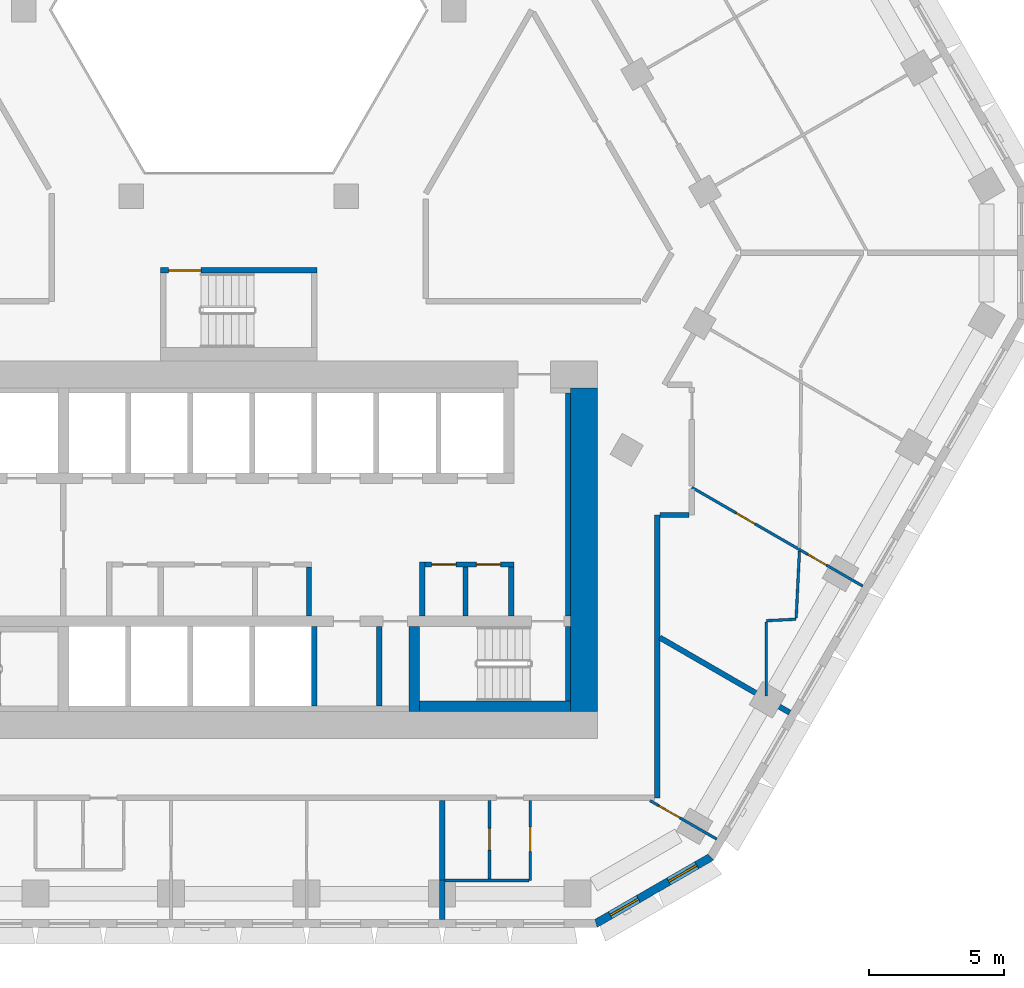
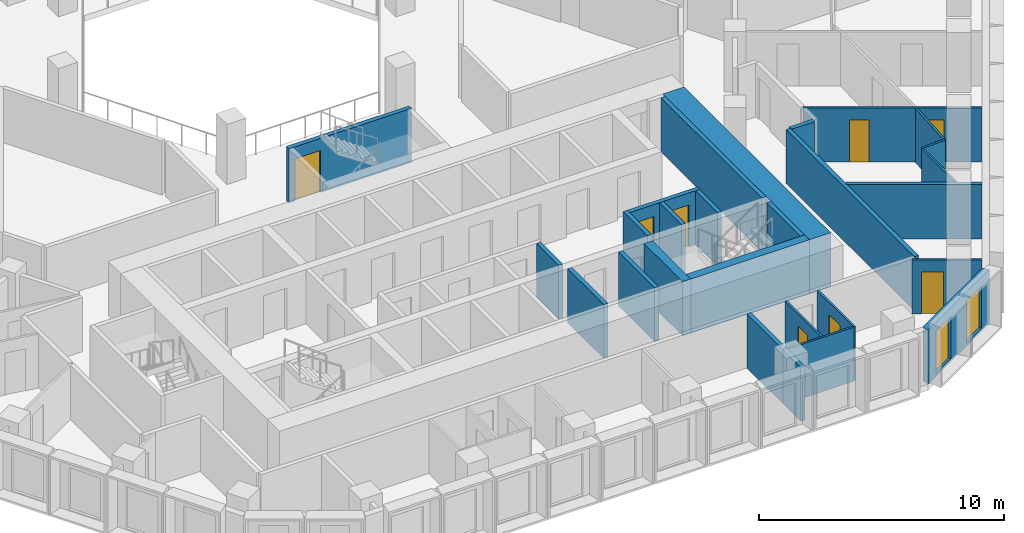
# One storey, part 6 of 18: 27 walls, 8 doors, 2 windows, 10 openings.
"""IFC4 building model written with IfcOpenShell, lengths in metres."""

from ifc_helpers import new_model, si_unit, direction, frame, frame_2d, origin, place, context, subcontext, project, spatial, polyline, rectangle, outline, extrude, material, layer, layer_set, type_object, element, fill, save


model = new_model("IFC4")

# Units and contexts
model_context = context("Model", 3, precision=1e-05, world=origin(), true_north=direction((0.0, 1.0)))
body_context = subcontext(model_context, "Body", "Model", "MODEL_VIEW")
ifc_project = project(units=[si_unit("LENGTHUNIT", "METRE"), si_unit("AREAUNIT", "SQUARE_METRE"), si_unit("VOLUMEUNIT", "CUBIC_METRE"), si_unit("PLANEANGLEUNIT", "RADIAN"), si_unit("MASSUNIT", "GRAM", prefix="KILO")], contexts=[model_context])

# Site, building, storey
site_placement = place(None, origin())
site = spatial("IfcSite", under=ifc_project, at=site_placement, CompositionType="ELEMENT")
building_placement = place(site_placement, origin())
building = spatial("IfcBuilding", under=site, at=building_placement, Name="Beryl Residences", CompositionType="ELEMENT")
storey_placement = place(building_placement, frame((0.0, 0.0, 93.0)))
storey = spatial("IfcBuildingStorey", under=building, at=storey_placement, Name="L28", CompositionType="ELEMENT", Elevation=93.0)

# Wall, openings, windows
ifc_material_1 = material(Name="Composite metal panel with mineral wool insulation")
ifc_layer_1 = layer(ifc_material_1, 0.300048828125)
ifc_layer_set_1 = layer_set([ifc_layer_1], Name="ES1 pale metal composite panel wall 300 mm")
wall_type_1 = type_object("IfcWallType", Name="ES1 pale metal composite panel wall 300 mm", PredefinedType="SOLIDWALL", material=ifc_layer_set_1)
wall_1_placement = place(storey_placement, frame((13.2041015625, -25.8701171875, 0.0), z_axis=(0.0, 0.0, 1.0), x_axis=(0.866010750942, 0.50002537861, 0.0)))
wall_1 = element("IfcWall", 1, at=wall_1_placement, inside=storey, type_object=wall_type_1, Name="ES1 external wall L28 S-SE", PredefinedType="SOLIDWALL", context=body_context, shape_type="SweptSolid", body=[
    extrude(outline(polyline([(0.0, -0.14990234375), (4.999755859375, -0.14990234375), (4.91943359375, 0.14990234375), (0.080322265625, 0.14990234375), (0.0, -0.14990234375)])), origin(), (0.0, 0.0, 1.0), 2.699951171875),
])
opening_1_placement = place(wall_1_placement, frame((0.64990234375, 0.0, 0.14990234375)))
opening_1 = element("IfcOpeningElement", 2, at=opening_1_placement, cuts=wall_1, Name="Opening W2", PredefinedType="OPENING", context=body_context, shape_type="SweptSolid", body=[
    extrude(rectangle(XDim=1.199951171875, YDim=2.10009765625, at=frame_2d((0.60009765625, 1.050048828125))), frame((0.0, 0.159912109375, 0.0), z_axis=(0.0, -1.0, 0.0), x_axis=(1.0, 0.0, 0.0)), (0.0, 0.0, 1.0), 0.320068359375),
])
opening_2_placement = place(wall_1_placement, frame((3.14892578125, 0.0, 0.14990234375)))
opening_2 = element("IfcOpeningElement", 3, at=opening_2_placement, cuts=wall_1, Name="Opening W2", PredefinedType="OPENING", context=body_context, shape_type="SweptSolid", body=[
    extrude(rectangle(XDim=1.199951171875, YDim=2.10009765625, at=frame_2d((0.60009765625, 1.050048828125))), frame((0.0, 0.159912109375, 0.0), z_axis=(0.0, -1.0, 0.0), x_axis=(1.0, 0.0, 0.0)), (0.0, 0.0, 1.0), 0.320068359375),
])
ifc_material_2 = material(Name="Aluminium and clear glass", Category="aluminium")
window_type = type_object("IfcWindowType", Name="W2 chamfer window 1200 x 2100 mm", PartitioningType="SINGLE_PANEL", PredefinedType="WINDOW", material=ifc_material_2)
window_1_placement = place(opening_1_placement, origin())
window_1 = element("IfcWindow", 4, at=window_1_placement, inside=storey, type_object=window_type, Name="W2 window L28 S-SE 1", OverallHeight=2.10009765625, OverallWidth=1.199951171875, PartitioningType="SINGLE_PANEL", PredefinedType="WINDOW", context=body_context, shape_type="SweptSolid", body=[
    extrude(rectangle(XDim=1.199951171875, YDim=2.10009765625, at=frame_2d((0.60009765625, 1.050048828125))), frame((0.0, 0.030029296875, 0.0), z_axis=(0.0, -1.0, 0.0), x_axis=(1.0, 0.0, 0.0)), (0.0, 0.0, 1.0), 0.06005859375),
])
fill(opening_1, window_1)
window_2_placement = place(opening_2_placement, origin())
window_2 = element("IfcWindow", 5, at=window_2_placement, inside=storey, type_object=window_type, Name="W2 window L28 S-SE 2", OverallHeight=2.10009765625, OverallWidth=1.199951171875, PartitioningType="SINGLE_PANEL", PredefinedType="WINDOW", context=body_context, shape_type="SweptSolid", body=[
    extrude(rectangle(XDim=1.199951171875, YDim=2.10009765625, at=frame_2d((0.60009765625, 1.050048828125))), frame((0.0, 0.030029296875, 0.0), z_axis=(0.0, -1.0, 0.0), x_axis=(1.0, 0.0, 0.0)), (0.0, 0.0, 1.0), 0.06005859375),
])
fill(opening_2, window_2)

# Wall, opening, door
ifc_material_3 = material(Name="Gypsum board partition on steel studs", Category="steel")
ifc_layer_2 = layer(ifc_material_3, 0.10009765625)
ifc_layer_set_2 = layer_set([ifc_layer_2], Name="PT1 partition 100 mm gypsum board on steel studs")
wall_type_2 = type_object("IfcWallType", Name="PT1 partition 100 mm gypsum board on steel studs", PredefinedType="PARTITIONING", material=ifc_layer_set_2)
wall_2_placement = place(storey_placement, frame((15.239990234375, -21.300048828125, 0.0), z_axis=(0.0, 0.0, 1.0), x_axis=(0.866090043625, -0.499888023795, 0.0)))
wall_2 = element("IfcWall", 6, at=wall_2_placement, inside=storey, type_object=wall_type_2, Name="Wall PT1 L28 019", PredefinedType="PARTITIONING", context=body_context, shape_type="SweptSolid", body=[
    extrude(rectangle(XDim=2.850830078125, YDim=0.10009765625, at=frame_2d((1.42529296875, 0.0))), origin(), (0.0, 0.0, 1.0), 2.699951171875),
])
opening_3_placement = place(wall_2_placement, frame((0.375, 0.0, 0.0)))
opening_3 = element("IfcOpeningElement", 7, at=opening_3_placement, cuts=wall_2, Name="Opening D0714", PredefinedType="OPENING", context=body_context, shape_type="SweptSolid", body=[
    extrude(rectangle(XDim=0.89990234375, YDim=2.10009765625, at=frame_2d((0.449951171875, 1.050048828125))), frame((0.0, 0.06005859375, 0.0), z_axis=(0.0, -1.0, 0.0), x_axis=(1.0, 0.0, 0.0)), (0.0, 0.0, 1.0), 0.1201171875),
])
ifc_material_4 = material(Name="Timber door leaf", Category="wood")
door_type_1 = type_object("IfcDoorType", Name="D2 room door 900 x 2100 mm", OperationType="SINGLE_SWING_LEFT", PredefinedType="DOOR", material=ifc_material_4)
door_1_placement = place(opening_3_placement, origin())
door_1 = element("IfcDoor", 8, at=door_1_placement, inside=storey, type_object=door_type_1, Name="Door D0714 L28 001", OperationType="SINGLE_SWING_RIGHT", OverallHeight=2.10009765625, OverallWidth=0.89990234375, PredefinedType="DOOR", context=body_context, shape_type="SweptSolid", body=[
    extrude(rectangle(XDim=0.89990234375, YDim=2.10009765625, at=frame_2d((0.449951171875, 1.050048828125))), frame((0.0, 0.02490234375, 0.0), z_axis=(0.0, -1.0, 0.0), x_axis=(1.0, 0.0, 0.0)), (0.0, 0.0, 1.0), 0.050048828125),
])
fill(opening_3, door_1)

# Wall, openings, doors
wall_3_placement = place(storey_placement, frame((16.791015625, -9.694091796875, 0.0), z_axis=(0.0, 0.0, 1.0), x_axis=(0.866013208994, -0.500021121402, 0.0)))
wall_3 = element("IfcWall", 9, at=wall_3_placement, inside=storey, type_object=wall_type_2, Name="Wall PT1 L28 021", PredefinedType="PARTITIONING", context=body_context, shape_type="SweptSolid", body=[
    extrude(rectangle(XDim=7.311767578125, YDim=0.10009765625, at=frame_2d((3.65576171875, 0.0))), origin(), (0.0, 0.0, 1.0), 2.699951171875),
])
opening_4_placement = place(wall_3_placement, frame((1.903076171875, 0.0, 0.0)))
opening_4 = element("IfcOpeningElement", 10, at=opening_4_placement, cuts=wall_3, Name="Opening D0717", PredefinedType="OPENING", context=body_context, shape_type="SweptSolid", body=[
    extrude(rectangle(XDim=0.800048828125, YDim=2.10009765625, at=frame_2d((0.39990234375, 1.050048828125))), frame((0.0, 0.06005859375, 0.0), z_axis=(0.0, -1.0, 0.0), x_axis=(1.0, 0.0, 0.0)), (0.0, 0.0, 1.0), 0.1201171875),
])
opening_5_placement = place(wall_3_placement, frame((4.958984375, 0.0, 0.0)))
opening_5 = element("IfcOpeningElement", 11, at=opening_5_placement, cuts=wall_3, Name="Opening D0720", PredefinedType="OPENING", context=body_context, shape_type="SweptSolid", body=[
    extrude(rectangle(XDim=0.800048828125, YDim=2.10009765625, at=frame_2d((0.39990234375, 1.050048828125))), frame((0.0, 0.06005859375, 0.0), z_axis=(0.0, -1.0, 0.0), x_axis=(1.0, 0.0, 0.0)), (0.0, 0.0, 1.0), 0.1201171875),
])
ifc_material_5 = material(Name="Timber door leaf", Category="wood")
door_type_2 = type_object("IfcDoorType", Name="D13 room door 800 x 2100 mm", OperationType="SINGLE_SWING_LEFT", PredefinedType="DOOR", material=ifc_material_5)
door_2_placement = place(opening_5_placement, origin())
door_2 = element("IfcDoor", 12, at=door_2_placement, inside=storey, type_object=door_type_2, Name="Door D0720 L28 001", OperationType="SINGLE_SWING_RIGHT", OverallHeight=2.10009765625, OverallWidth=0.800048828125, PredefinedType="DOOR", context=body_context, shape_type="SweptSolid", body=[
    extrude(rectangle(XDim=0.800048828125, YDim=2.10009765625, at=frame_2d((0.39990234375, 1.050048828125))), frame((0.0, 0.02490234375, 0.0), z_axis=(0.0, -1.0, 0.0), x_axis=(1.0, 0.0, 0.0)), (0.0, 0.0, 1.0), 0.050048828125),
])
fill(opening_5, door_2)
ifc_material_6 = material(Name="Timber door leaf", Category="wood")
door_type_3 = type_object("IfcDoorType", Name="D3 bathroom door 800 x 2100 mm", OperationType="SINGLE_SWING_LEFT", PredefinedType="DOOR", material=ifc_material_6)
door_3_placement = place(opening_4_placement, origin())
door_3 = element("IfcDoor", 13, at=door_3_placement, inside=storey, type_object=door_type_3, Name="Door D0717 L28 001", OperationType="SINGLE_SWING_LEFT", OverallHeight=2.10009765625, OverallWidth=0.800048828125, PredefinedType="DOOR", context=body_context, shape_type="SweptSolid", body=[
    extrude(rectangle(XDim=0.800048828125, YDim=2.10009765625, at=frame_2d((0.39990234375, 1.050048828125))), frame((0.0, 0.02490234375, 0.0), z_axis=(0.0, -1.0, 0.0), x_axis=(1.0, 0.0, 0.0)), (0.0, 0.0, 1.0), 0.050048828125),
])
fill(opening_4, door_3)

# Walls
wall_4_placement = place(storey_placement, frame((7.635009765625, -24.260009765625, 0.0), z_axis=(0.0, 0.0, 1.0), x_axis=(1.0, 0.0, 0.0)))
element("IfcWall", 14, at=wall_4_placement, inside=storey, type_object=wall_type_2, Name="Wall PT1 L28 028", PredefinedType="PARTITIONING", context=body_context, shape_type="SweptSolid", body=[
    extrude(rectangle(XDim=3.114013671875, YDim=0.10009765625, at=frame_2d((1.55712890625, 0.0))), origin(), (0.0, 0.0, 1.0), 2.699951171875),
])
wall_5_placement = place(storey_placement, frame((20.656005859375, -14.527099609375, 0.0), z_axis=(0.0, 0.0, 1.0), x_axis=(0.048885629948, 0.998804382842, 0.0)))
element("IfcWall", 15, at=wall_5_placement, inside=storey, type_object=wall_type_2, Name="Wall PT1 L28 036", PredefinedType="PARTITIONING", context=body_context, shape_type="SweptSolid", body=[
    extrude(rectangle(XDim=2.47705078125, YDim=0.10009765625, at=frame_2d((1.238525390625, 0.0))), origin(), (0.0, 0.0, 1.0), 2.699951171875),
])

# Wall, opening, door
wall_6_placement = place(storey_placement, frame((9.29296875, -24.2099609375, 0.0), z_axis=(0.0, 0.0, 1.0), x_axis=(0.0, 1.0, 0.0)))
wall_6 = element("IfcWall", 16, at=wall_6_placement, inside=storey, type_object=wall_type_2, Name="Wall PT1 L28 041", PredefinedType="PARTITIONING", context=body_context, shape_type="SweptSolid", body=[
    extrude(rectangle(XDim=2.909912109375, YDim=0.10009765625, at=frame_2d((1.455078125, 0.0))), origin(), (0.0, 0.0, 1.0), 2.699951171875),
])
opening_6_placement = place(wall_6_placement, frame((1.080078125, 0.0, 0.0)))
opening_6 = element("IfcOpeningElement", 17, at=opening_6_placement, cuts=wall_6, Name="Opening D0713", PredefinedType="OPENING", context=body_context, shape_type="SweptSolid", body=[
    extrude(rectangle(XDim=0.800048828125, YDim=2.10009765625, at=frame_2d((0.39990234375, 1.050048828125))), frame((0.0, 0.06005859375, 0.0), z_axis=(0.0, -1.0, 0.0), x_axis=(1.0, 0.0, 0.0)), (0.0, 0.0, 1.0), 0.1201171875),
])
door_4_placement = place(opening_6_placement, origin())
door_4 = element("IfcDoor", 18, at=door_4_placement, inside=storey, type_object=door_type_3, Name="Door D0713 L28 001", OperationType="SINGLE_SWING_LEFT", OverallHeight=2.10009765625, OverallWidth=0.800048828125, PredefinedType="DOOR", context=body_context, shape_type="SweptSolid", body=[
    extrude(rectangle(XDim=0.800048828125, YDim=2.10009765625, at=frame_2d((0.39990234375, 1.050048828125))), frame((0.0, 0.02490234375, 0.0), z_axis=(0.0, -1.0, 0.0), x_axis=(1.0, 0.0, 0.0)), (0.0, 0.0, 1.0), 0.050048828125),
])
fill(opening_6, door_4)

wall_7_placement = place(storey_placement, frame((10.800048828125, -24.259033203125, 0.0), z_axis=(0.0, 0.0, 1.0), x_axis=(0.0, 1.0, 0.0)))
wall_7 = element("IfcWall", 19, at=wall_7_placement, inside=storey, type_object=wall_type_2, Name="Wall PT1 L28 042", PredefinedType="PARTITIONING", context=body_context, shape_type="SweptSolid", body=[
    extrude(rectangle(XDim=2.958984375, YDim=0.10009765625, at=frame_2d((1.4794921875, 0.0))), origin(), (0.0, 0.0, 1.0), 2.699951171875),
])
opening_7_placement = place(wall_7_placement, frame((1.0791015625, 0.0, 0.0)))
opening_7 = element("IfcOpeningElement", 20, at=opening_7_placement, cuts=wall_7, Name="Opening D0712", PredefinedType="OPENING", context=body_context, shape_type="SweptSolid", body=[
    extrude(rectangle(XDim=0.89990234375, YDim=2.10009765625, at=frame_2d((0.449951171875, 1.050048828125))), frame((0.0, 0.06005859375, 0.0), z_axis=(0.0, -1.0, 0.0), x_axis=(1.0, 0.0, 0.0)), (0.0, 0.0, 1.0), 0.1201171875),
])
door_5_placement = place(opening_7_placement, origin())
door_5 = element("IfcDoor", 21, at=door_5_placement, inside=storey, type_object=door_type_1, Name="Door D0712 L28 001", OperationType="SINGLE_SWING_RIGHT", OverallHeight=2.10009765625, OverallWidth=0.89990234375, PredefinedType="DOOR", context=body_context, shape_type="SweptSolid", body=[
    extrude(rectangle(XDim=0.89990234375, YDim=2.10009765625, at=frame_2d((0.449951171875, 1.050048828125))), frame((0.0, 0.02490234375, 0.0), z_axis=(0.0, -1.0, 0.0), x_axis=(1.0, 0.0, 0.0)), (0.0, 0.0, 1.0), 0.050048828125),
])
fill(opening_7, door_5)

# Walls
wall_8_placement = place(storey_placement, frame((19.548095703125, -17.4208984375, 0.0), z_axis=(0.0, 0.0, 1.0), x_axis=(0.0, 1.0, 0.0)))
element("IfcWall", 22, at=wall_8_placement, inside=storey, type_object=wall_type_2, Name="Wall PT1 L28 043", PredefinedType="PARTITIONING", context=body_context, shape_type="SweptSolid", body=[
    extrude(rectangle(XDim=2.739013671875, YDim=0.10009765625, at=frame_2d((1.36962890625, 0.0))), origin(), (0.0, 0.0, 1.0), 2.699951171875),
])
wall_9_placement = place(storey_placement, frame((19.548095703125, -14.632080078125, 0.0), z_axis=(0.0, 0.0, 1.0), x_axis=(0.998755638501, 0.049871580712, 0.0)))
element("IfcWall", 23, at=wall_9_placement, inside=storey, type_object=wall_type_2, Name="Wall PT1 L28 050", PredefinedType="PARTITIONING", context=body_context, shape_type="SweptSolid", body=[
    extrude(rectangle(XDim=1.1064453125, YDim=0.10009765625, at=frame_2d((0.55322265625, 0.0))), origin(), (0.0, 0.0, 1.0), 2.699951171875),
])
ifc_material_7 = material(Name="Concrete masonry", Category="masonry")
ifc_layer_3 = layer(ifc_material_7, 0.199951171875)
ifc_layer_set_3 = layer_set([ifc_layer_3], Name="PT13 lobby wall 200 mm")
wall_type_3 = type_object("IfcWallType", Name="PT13 lobby wall 200 mm", PredefinedType="PARTITIONING", material=ifc_layer_set_3)
wall_10_placement = place(storey_placement, frame((2.60009765625, -14.449951171875, 0.0), z_axis=(0.0, 0.0, 1.0), x_axis=(0.0, 1.0, 0.0)))
element("IfcWall", 24, at=wall_10_placement, inside=storey, type_object=wall_type_3, Name="Lobby wall 24", PredefinedType="PARTITIONING", context=body_context, shape_type="SweptSolid", body=[
    extrude(rectangle(XDim=1.800048828125, YDim=0.199951171875, at=frame_2d((0.89990234375, 0.0))), origin(), (0.0, 0.0, 1.0), 2.699951171875),
])
wall_11_placement = place(storey_placement, frame((6.800048828125, -14.449951171875, 0.0), z_axis=(0.0, 0.0, 1.0), x_axis=(0.0, 1.0, 0.0)))
element("IfcWall", 25, at=wall_11_placement, inside=storey, type_object=wall_type_3, Name="Lobby wall 30", PredefinedType="PARTITIONING", context=body_context, shape_type="SweptSolid", body=[
    extrude(rectangle(XDim=2.0, YDim=0.199951171875, at=frame_2d((1.0, 0.0))), origin(), (0.0, 0.0, 1.0), 2.699951171875),
])

# Wall, openings, doors
wall_12_placement = place(storey_placement, frame((6.89990234375, -12.550048828125, 0.0), z_axis=(0.0, 0.0, 1.0), x_axis=(1.0, 0.0, 0.0)))
wall_12 = element("IfcWall", 26, at=wall_12_placement, inside=storey, type_object=wall_type_3, Name="Lobby wall 31", PredefinedType="PARTITIONING", context=body_context, shape_type="SweptSolid", body=[
    extrude(rectangle(XDim=3.300048828125, YDim=0.199951171875, at=frame_2d((1.64990234375, 0.0))), origin(), (0.0, 0.0, 1.0), 2.699951171875),
])
opening_8_placement = place(wall_12_placement, frame((1.14990234375, 0.0, 0.0), z_axis=(0.0, 0.0, 1.0), x_axis=(-1.0, 0.0, 0.0)))
opening_8 = element("IfcOpeningElement", 27, at=opening_8_placement, cuts=wall_12, Name="Opening CD-D-A4-900", PredefinedType="OPENING", context=body_context, shape_type="SweptSolid", body=[
    extrude(rectangle(XDim=0.89990234375, YDim=2.10009765625, at=frame_2d((0.449951171875, 1.050048828125))), frame((0.0, 0.10986328125, 0.0), z_axis=(0.0, -1.0, 0.0), x_axis=(1.0, 0.0, 0.0)), (0.0, 0.0, 1.0), 0.219970703125),
])
opening_9_placement = place(wall_12_placement, frame((2.7998046875, 0.0, 0.0), z_axis=(0.0, 0.0, 1.0), x_axis=(-1.0, 0.0, 0.0)))
opening_9 = element("IfcOpeningElement", 28, at=opening_9_placement, cuts=wall_12, Name="Opening CD-D-A5-900", PredefinedType="OPENING", context=body_context, shape_type="SweptSolid", body=[
    extrude(rectangle(XDim=0.89990234375, YDim=2.10009765625, at=frame_2d((0.449951171875, 1.050048828125))), frame((0.0, 0.10986328125, 0.0), z_axis=(0.0, -1.0, 0.0), x_axis=(1.0, 0.0, 0.0)), (0.0, 0.0, 1.0), 0.219970703125),
])
ifc_material_8 = material(Name="Steel door leaf in steel frame", Category="steel")
door_type_4 = type_object("IfcDoorType", Name="D6 service room door 900 x 2100 mm", OperationType="SINGLE_SWING_LEFT", PredefinedType="DOOR", material=ifc_material_8)
door_6_placement = place(opening_8_placement, origin())
door_6 = element("IfcDoor", 29, at=door_6_placement, inside=storey, type_object=door_type_4, Name="Door CD-D-A4-900 L28 001", OperationType="SINGLE_SWING_LEFT", OverallHeight=2.10009765625, OverallWidth=0.89990234375, PredefinedType="DOOR", context=body_context, shape_type="SweptSolid", body=[
    extrude(rectangle(XDim=0.89990234375, YDim=2.10009765625, at=frame_2d((0.449951171875, 1.050048828125))), frame((0.0, 0.02490234375, 0.0), z_axis=(0.0, -1.0, 0.0), x_axis=(1.0, 0.0, 0.0)), (0.0, 0.0, 1.0), 0.050048828125),
])
fill(opening_8, door_6)
door_7_placement = place(opening_9_placement, origin())
door_7 = element("IfcDoor", 30, at=door_7_placement, inside=storey, type_object=door_type_4, Name="Door CD-D-A5-900 L28 001", OperationType="SINGLE_SWING_RIGHT", OverallHeight=2.10009765625, OverallWidth=0.89990234375, PredefinedType="DOOR", context=body_context, shape_type="SweptSolid", body=[
    extrude(rectangle(XDim=0.89990234375, YDim=2.10009765625, at=frame_2d((0.449951171875, 1.050048828125))), frame((0.0, 0.02490234375, 0.0), z_axis=(0.0, -1.0, 0.0), x_axis=(1.0, 0.0, 0.0)), (0.0, 0.0, 1.0), 0.050048828125),
])
fill(opening_9, door_7)

# Walls
wall_13_placement = place(storey_placement, frame((10.10009765625, -14.449951171875, 0.0), z_axis=(0.0, 0.0, 1.0), x_axis=(0.0, 1.0, 0.0)))
element("IfcWall", 31, at=wall_13_placement, inside=storey, type_object=wall_type_3, Name="Lobby wall 34", PredefinedType="PARTITIONING", context=body_context, shape_type="SweptSolid", body=[
    extrude(rectangle(XDim=1.800048828125, YDim=0.199951171875, at=frame_2d((0.89990234375, 0.0))), origin(), (0.0, 0.0, 1.0), 2.699951171875),
])
wall_14_placement = place(storey_placement, frame((12.199951171875, -14.449951171875, 0.0), z_axis=(0.0, 0.0, 1.0), x_axis=(0.0, 1.0, 0.0)))
element("IfcWall", 32, at=wall_14_placement, inside=storey, type_object=wall_type_3, Name="Lobby wall 37", PredefinedType="PARTITIONING", context=body_context, shape_type="SweptSolid", body=[
    extrude(rectangle(XDim=8.25, YDim=0.199951171875, at=frame_2d((4.125, 0.0))), origin(), (0.0, 0.0, 1.0), 2.699951171875),
])
ifc_material_9 = material(Name="Acoustic double stud gypsum board wall")
ifc_layer_4 = layer(ifc_material_9, 0.199951171875)
ifc_layer_set_4 = layer_set([ifc_layer_4], Name="PT3 party wall 200 mm acoustic double stud")
wall_type_4 = type_object("IfcWallType", Name="PT3 party wall 200 mm acoustic double stud", PredefinedType="PARTITIONING", material=ifc_layer_set_4)
wall_15_placement = place(storey_placement, frame((7.534912109375, -21.300048828125, 0.0), z_axis=(0.0, 0.0, 1.0), x_axis=(0.0, -1.0, 0.0)))
element("IfcWall", 33, at=wall_15_placement, inside=storey, type_object=wall_type_4, Name="Wall PT3 L28 003", PredefinedType="PARTITIONING", context=body_context, shape_type="SweptSolid", body=[
    extrude(rectangle(XDim=2.97998046875, YDim=0.199951171875, at=frame_2d((1.489990234375, 0.0))), origin(), (0.0, 0.0, 1.0), 2.699951171875),
])
wall_16_placement = place(storey_placement, frame((15.60009765625, -15.257080078125, 0.0), z_axis=(0.0, 0.0, 1.0), x_axis=(0.86598379672, -0.500072058625, 0.0)))
element("IfcWall", 34, at=wall_16_placement, inside=storey, type_object=wall_type_4, Name="Wall PT3 L28 005", PredefinedType="PARTITIONING", context=body_context, shape_type="SweptSolid", body=[
    extrude(rectangle(XDim=5.561279296875, YDim=0.199951171875, at=frame_2d((2.78076171875, 0.0))), origin(), (0.0, 0.0, 1.0), 2.699951171875),
])
wall_17_placement = place(storey_placement, frame((7.534912109375, -25.699951171875, 0.0), z_axis=(0.0, 0.0, 1.0), x_axis=(0.0, 1.0, 0.0)))
element("IfcWall", 35, at=wall_17_placement, inside=storey, type_object=wall_type_4, Name="Wall PT3 L28 013", PredefinedType="PARTITIONING", context=body_context, shape_type="SweptSolid", body=[
    extrude(rectangle(XDim=1.4599609375, YDim=0.199951171875, at=frame_2d((0.72998046875, 0.0))), origin(), (0.0, 0.0, 1.0), 2.699951171875),
])
ifc_material_10 = material(Name="Double stud gypsum board wall")
ifc_layer_5 = layer(ifc_material_10, 0.199951171875)
ifc_layer_set_5 = layer_set([ifc_layer_5], Name="PT4 corridor wall 200 mm double stud")
wall_type_5 = type_object("IfcWallType", Name="PT4 corridor wall 200 mm double stud", PredefinedType="PARTITIONING", material=ifc_layer_set_5)
wall_18_placement = place(storey_placement, frame((15.60107421875, -10.715087890625, 0.0), z_axis=(0.0, 0.0, 1.0), x_axis=(1.0, 0.0, 0.0)))
element("IfcWall", 36, at=wall_18_placement, inside=storey, type_object=wall_type_5, Name="Wall PT4 L28 014", PredefinedType="PARTITIONING", context=body_context, shape_type="SweptSolid", body=[
    extrude(rectangle(XDim=1.08984375, YDim=0.199951171875, at=frame_2d((0.544921875, 0.0))), origin(), (0.0, 0.0, 1.0), 2.699951171875),
])
wall_19_placement = place(storey_placement, frame((15.5, -21.198974609375, 0.0), z_axis=(0.0, 0.0, 1.0), x_axis=(0.0, 1.0, 0.0)))
element("IfcWall", 37, at=wall_19_placement, inside=storey, type_object=wall_type_5, Name="Wall PT4 L28 029", PredefinedType="PARTITIONING", context=body_context, shape_type="SweptSolid", body=[
    extrude(rectangle(XDim=10.48291015625, YDim=0.199951171875, at=frame_2d((5.241455078125, 0.0))), origin(), (0.0, 0.0, 1.0), 2.699951171875),
])

# Wall, opening, door
ifc_material_11 = material(Name="Concrete C40/50", Category="concrete")
ifc_layer_6 = layer(ifc_material_11, 0.199951171875)
ifc_layer_set_6 = layer_set([ifc_layer_6], Name="PT5 stair enclosure wall 200 mm reinforced concrete C40/50")
wall_type_6 = type_object("IfcWallType", Name="PT5 stair enclosure wall 200 mm reinforced concrete C40/50", PredefinedType="SOLIDWALL", material=ifc_layer_set_6)
wall_20_placement = place(storey_placement, frame((-2.89990234375, -1.64990234375, 0.0), z_axis=(0.0, 0.0, 1.0), x_axis=(1.0, 0.0, 0.0)))
wall_20 = element("IfcWall", 38, at=wall_20_placement, inside=storey, type_object=wall_type_6, Name="Wall PT5 L28 001", PredefinedType="SOLIDWALL", context=body_context, shape_type="SweptSolid", body=[
    extrude(rectangle(XDim=5.7998046875, YDim=0.199951171875, at=frame_2d((2.89990234375, 0.0))), origin(), (0.0, 0.0, 1.0), 2.699951171875),
])
opening_10_placement = place(wall_20_placement, frame((0.300048828125, 0.0, 0.0)))
opening_10 = element("IfcOpeningElement", 39, at=opening_10_placement, cuts=wall_20, Name="Opening DS04", PredefinedType="OPENING", context=body_context, shape_type="SweptSolid", body=[
    extrude(rectangle(XDim=1.199951171875, YDim=2.10009765625, at=frame_2d((0.60009765625, 1.050048828125))), frame((0.0, 0.10986328125, 0.0), z_axis=(0.0, -1.0, 0.0), x_axis=(1.0, 0.0, 0.0)), (0.0, 0.0, 1.0), 0.219970703125),
])
ifc_material_12 = material(Name="Steel door leaf in steel frame", Category="steel")
door_type_5 = type_object("IfcDoorType", Name="D4 stair door 1200 x 2100 mm", OperationType="SINGLE_SWING_LEFT", PredefinedType="DOOR", material=ifc_material_12)
door_8_placement = place(opening_10_placement, origin())
door_8 = element("IfcDoor", 40, at=door_8_placement, inside=storey, type_object=door_type_5, Name="Door DS04 L28 001", OperationType="SINGLE_SWING_LEFT", OverallHeight=2.10009765625, OverallWidth=1.199951171875, PredefinedType="DOOR", context=body_context, shape_type="SweptSolid", body=[
    extrude(rectangle(XDim=1.199951171875, YDim=2.10009765625, at=frame_2d((0.60009765625, 1.050048828125))), frame((0.0, 0.02490234375, 0.0), z_axis=(0.0, -1.0, 0.0), x_axis=(1.0, 0.0, 0.0)), (0.0, 0.0, 1.0), 0.050048828125),
])
fill(opening_10, door_8)

# Walls
wall_21_placement = place(storey_placement, frame((12.199951171875, -17.60009765625, 0.0), z_axis=(0.0, 0.0, 1.0), x_axis=(0.0, 1.0, 0.0)))
element("IfcWall", 41, at=wall_21_placement, inside=storey, type_object=wall_type_6, Name="Stair wall 36", PredefinedType="SOLIDWALL", context=body_context, shape_type="SweptSolid", body=[
    extrude(rectangle(XDim=2.75, YDim=0.199951171875, at=frame_2d((1.375, 0.0))), origin(), (0.0, 0.0, 1.0), 2.699951171875),
])
ifc_material_13 = material(Name="Concrete C40/50", Category="concrete")
ifc_layer_7 = layer(ifc_material_13, 0.39990234375)
ifc_layer_set_7 = layer_set([ifc_layer_7], Name="PT5-400 stair enclosure wall 400 mm")
wall_type_7 = type_object("IfcWallType", Name="PT5-400 stair enclosure wall 400 mm", PredefinedType="SOLIDWALL", material=ifc_layer_set_7)
wall_22_placement = place(storey_placement, frame((6.699951171875, -17.800048828125, 0.0), z_axis=(0.0, 0.0, 1.0), x_axis=(1.0, 0.0, 0.0)))
element("IfcWall", 42, at=wall_22_placement, inside=storey, type_object=wall_type_7, Name="Stair wall 29", PredefinedType="SOLIDWALL", context=body_context, shape_type="SweptSolid", body=[
    extrude(rectangle(XDim=5.60009765625, YDim=0.39990234375, at=frame_2d((2.800048828125, 0.0))), origin(), (0.0, 0.0, 1.0), 2.699951171875),
])
ifc_material_14 = material(Name="Concrete C40/50", Category="concrete")
ifc_layer_8 = layer(ifc_material_14, 0.199951171875)
ifc_layer_set_8 = layer_set([ifc_layer_8], Name="PT6 lift shaft wall 200 mm reinforced concrete C40/50")
wall_type_8 = type_object("IfcWallType", Name="PT6 lift shaft wall 200 mm reinforced concrete C40/50", PredefinedType="SOLIDWALL", material=ifc_layer_set_8)
wall_23_placement = place(storey_placement, frame((2.800048828125, -17.800048828125, 0.0), z_axis=(0.0, 0.0, 1.0), x_axis=(0.0, 1.0, 0.0)))
element("IfcWall", 43, at=wall_23_placement, inside=storey, type_object=wall_type_8, Name="Lift shaft wall 25", PredefinedType="SOLIDWALL", context=body_context, shape_type="SweptSolid", body=[
    extrude(rectangle(XDim=2.949951171875, YDim=0.199951171875, at=frame_2d((1.47509765625, 0.0))), origin(), (0.0, 0.0, 1.0), 2.699951171875),
])
ifc_material_15 = material(Name="Concrete masonry", Category="masonry")
ifc_layer_9 = layer(ifc_material_15, 0.199951171875)
ifc_layer_set_9 = layer_set([ifc_layer_9], Name="PT7-200 riser wall 200 mm")
wall_type_9 = type_object("IfcWallType", Name="PT7-200 riser wall 200 mm", PredefinedType="PARTITIONING", material=ifc_layer_set_9)
wall_24_placement = place(storey_placement, frame((5.199951171875, -17.800048828125, 0.0), z_axis=(0.0, 0.0, 1.0), x_axis=(0.0, 1.0, 0.0)))
element("IfcWall", 44, at=wall_24_placement, inside=storey, type_object=wall_type_9, Name="Riser wall 28", PredefinedType="PARTITIONING", context=body_context, shape_type="SweptSolid", body=[
    extrude(rectangle(XDim=2.949951171875, YDim=0.199951171875, at=frame_2d((1.47509765625, 0.0))), origin(), (0.0, 0.0, 1.0), 2.699951171875),
])
ifc_material_16 = material(Name="Concrete masonry", Category="masonry")
ifc_layer_10 = layer(ifc_material_16, 0.199951171875)
ifc_layer_set_10 = layer_set([ifc_layer_10], Name="PT8-200 service room wall 200 mm")
wall_type_10 = type_object("IfcWallType", Name="PT8-200 service room wall 200 mm", PredefinedType="PARTITIONING", material=ifc_layer_set_10)
wall_25_placement = place(storey_placement, frame((8.39990234375, -14.449951171875, 0.0), z_axis=(0.0, 0.0, 1.0), x_axis=(0.0, 1.0, 0.0)))
element("IfcWall", 45, at=wall_25_placement, inside=storey, type_object=wall_type_10, Name="Core room wall 33", PredefinedType="PARTITIONING", context=body_context, shape_type="SweptSolid", body=[
    extrude(rectangle(XDim=1.800048828125, YDim=0.199951171875, at=frame_2d((0.89990234375, 0.0))), origin(), (0.0, 0.0, 1.0), 2.699951171875),
])
ifc_material_17 = material(Name="Concrete C70/85", Category="concrete")
ifc_layer_11 = layer(ifc_material_17, 1.0)
ifc_layer_set_11 = layer_set([ifc_layer_11], Name="SW2 core outer wall 1000 mm C70/85")
wall_type_11 = type_object("IfcWallType", Name="SW2 core outer wall 1000 mm C70/85", PredefinedType="SHEAR", material=ifc_layer_set_11)
wall_26_placement = place(storey_placement, frame((12.800048828125, -18.0, 0.0), z_axis=(0.0, 0.0, 1.0), x_axis=(0.0, 1.0, 0.0)))
element("IfcWall", 46, at=wall_26_placement, inside=storey, type_object=wall_type_11, Name="Core wall E L28", PredefinedType="SHEAR", context=body_context, shape_type="SweptSolid", body=[
    extrude(rectangle(XDim=12.0, YDim=1.0, at=frame_2d((6.0, 0.0))), origin(), (0.0, 0.0, 1.0), 2.699951171875),
])
ifc_material_18 = material(Name="Concrete C70/85", Category="concrete")
ifc_layer_12 = layer(ifc_material_18, 0.39990234375)
ifc_layer_set_12 = layer_set([ifc_layer_12], Name="SW7 core internal wall 400 mm C70/85")
wall_type_12 = type_object("IfcWallType", Name="SW7 core internal wall 400 mm C70/85", PredefinedType="SHEAR", material=ifc_layer_set_12)
wall_27_placement = place(storey_placement, frame((6.5, -18.0, 0.0), z_axis=(0.0, 0.0, 1.0), x_axis=(0.0, 1.0, 0.0)))
element("IfcWall", 47, at=wall_27_placement, inside=storey, type_object=wall_type_12, Name="Core wall XS2 L28", PredefinedType="SHEAR", context=body_context, shape_type="SweptSolid", body=[
    extrude(rectangle(XDim=3.14990234375, YDim=0.39990234375, at=frame_2d((1.574951171875, 0.0))), origin(), (0.0, 0.0, 1.0), 2.699951171875),
])

save(model, "model.ifc")
